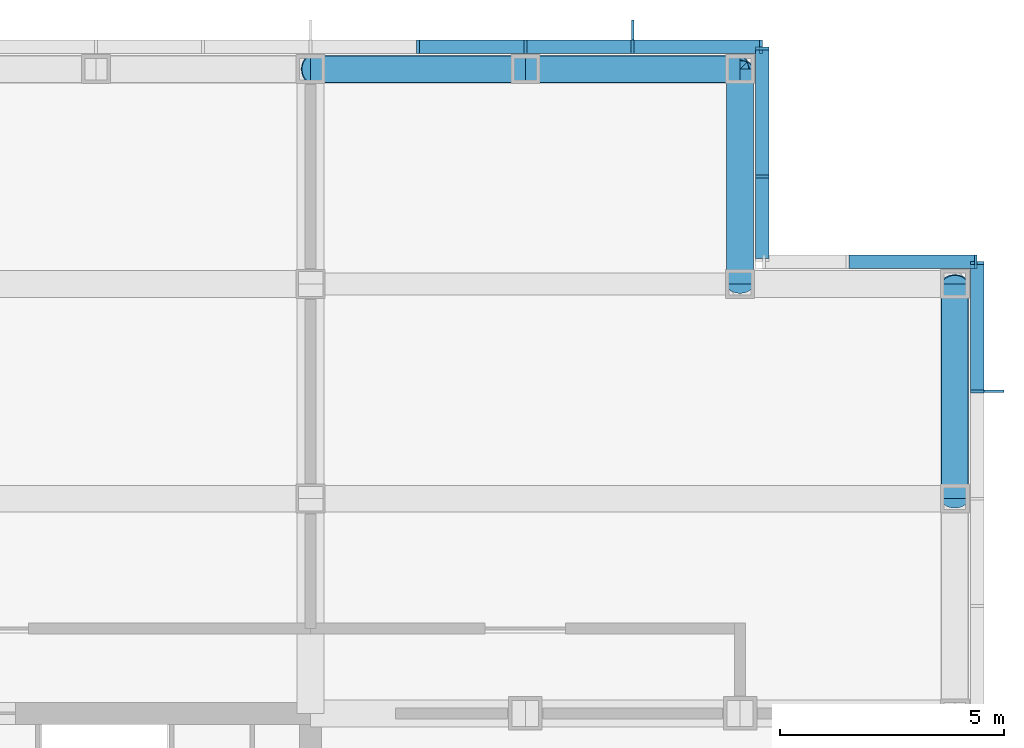
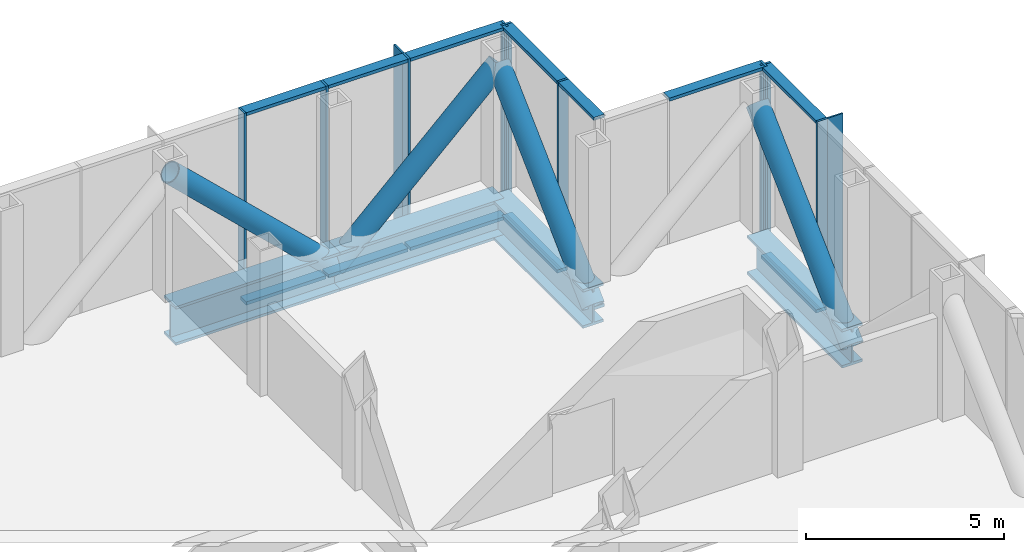
# One storey, part 11 of 18: 28 members, 4 beams, 4 elements without a shape of their own.
"""IFC4 building model written with IfcOpenShell, lengths in metres."""

from ifc_helpers import new_model, si_unit, direction, frame, origin, origin_2d, place, context, subcontext, project, spatial, rectangle, hollow_circle, i_section, extrude, material, material_profile, profile_set, type_object, element, aggregate, save


model = new_model("IFC4")

# Units and contexts
model_context = context("Model", 3, precision=1e-05, world=origin(), true_north=direction((0.0, 1.0)))
body_context = subcontext(model_context, "Body", "Model", "MODEL_VIEW")
ifc_project = project(units=[si_unit("LENGTHUNIT", "METRE"), si_unit("AREAUNIT", "SQUARE_METRE"), si_unit("VOLUMEUNIT", "CUBIC_METRE"), si_unit("PLANEANGLEUNIT", "RADIAN"), si_unit("MASSUNIT", "GRAM", prefix="KILO")], contexts=[model_context])

# Site, building, storey
site_placement = place(None, origin())
site = spatial("IfcSite", under=ifc_project, at=site_placement, CompositionType="ELEMENT")
building_placement = place(site_placement, origin())
building = spatial("IfcBuilding", under=site, at=building_placement, Name="Kvirike Care Tower", CompositionType="ELEMENT")
storey_placement = place(building_placement, frame((0.0, 0.0, 79.5)))
storey = spatial("IfcBuildingStorey", under=building, at=storey_placement, Name="L21", CompositionType="ELEMENT", Elevation=79.5)

# Members
ifc_material_1 = material(Name="Steel S355", Category="steel")
ifc_material_profile_1 = material_profile(ifc_material_1, hollow_circle(Radius=0.304931640625, WallThickness=0.030029296875, at=origin_2d()), Name="CHS 610x30")
ifc_profile_set_1 = profile_set([ifc_material_profile_1], Name="Steel S355")
member_type_1 = type_object("IfcMemberType", Name="BELT TRUSS DIAGONAL CHS 610x30", PredefinedType="BRACE", material=ifc_profile_set_1)
for number, where, z_axis, x_axis, name in (
    (1, (43.199951171875, 48.0, -0.85009765625), (0.0, 0.723490032929, 0.690334826191), (-1.0, 0.0, 0.0), "Belt truss diagonal L12-M12 L21"),
    (2, (38.39990234375, 52.800048828125, -0.85009765625), (0.0, 0.723490032929, 0.690334826191), (-1.0, 0.0, 0.0), "Belt truss diagonal M11-N11 L21"),
):
    element("IfcMember", number, at=place(storey_placement, frame(where, z_axis=z_axis, x_axis=x_axis)), inside=storey, type_object=member_type_1, Name=name, PredefinedType="BRACE", context=body_context, shape_type="SweptSolid", body=[
        extrude(hollow_circle(Radius=0.304931640625, WallThickness=0.030029296875, at=origin_2d()), origin(), (0.0, 0.0, 1.0), 6.634521484375),
    ])
member_1_placement = place(storey_placement, frame((33.60009765625, 57.60009765625, -0.85009765625), z_axis=(0.723472495583, 0.0, 0.690353205348), x_axis=(0.0, 1.0, 0.0)))
element("IfcMember", 3, at=member_1_placement, inside=storey, type_object=member_type_1, Name="Belt truss diagonal N11-N10 L21", PredefinedType="BRACE", context=body_context, shape_type="SweptSolid", body=[
    extrude(hollow_circle(Radius=0.304931640625, WallThickness=0.030029296875, at=origin_2d()), origin(), (0.0, 0.0, 1.0), 6.63427734375),
])
member_2_placement = place(storey_placement, frame((33.60009765625, 57.60009765625, -0.85009765625), z_axis=(-0.723490032929, 0.0, 0.690334826191), x_axis=(0.0, -1.0, 0.0)))
element("IfcMember", 4, at=member_2_placement, inside=storey, type_object=member_type_1, Name="Belt truss diagonal N10-N9 L21", PredefinedType="BRACE", context=body_context, shape_type="SweptSolid", body=[
    extrude(hollow_circle(Radius=0.304931640625, WallThickness=0.030029296875, at=origin_2d()), origin(), (0.0, 0.0, 1.0), 6.634521484375),
])

# Curtain wall, member
ifc_material_2 = material(Name="Anodised aluminium stick system", Category="aluminium")
curtain_wall_type = type_object("IfcCurtainWallType", Name="CW-L LOUVRED PLANT SCREEN", PredefinedType="NOTDEFINED", material=ifc_material_2)
curtain_wall_1_placement = place(storey_placement, origin())
curtain_wall_1 = element("IfcCurtainWall", 5, at=curtain_wall_1_placement, inside=storey, type_object=curtain_wall_type, Name="Curtain wall L21 face 7", PredefinedType="NOTDEFINED")
ifc_material_3 = material(Name="Bronze anodised aluminium fin", Category="aluminium")
ifc_material_profile_2 = material_profile(ifc_material_3, rectangle(XDim=0.050048828125, YDim=0.449951171875, at=origin_2d()), Name="BRONZE FIN 450")
ifc_profile_set_2 = profile_set([ifc_material_profile_2], Name="Bronze anodised aluminium fin")
member_type_2 = type_object("IfcMemberType", Name="BRONZE FIN 450", PredefinedType="USERDEFINED", material=ifc_profile_set_2)
member_3_placement = place(storey_placement, frame((44.074951171875, 50.39990234375, -1.449951171875), z_axis=(0.0, 0.0, 1.0), x_axis=(0.0, 1.0, 0.0)))
member_3 = element("IfcMember", 6, at=member_3_placement, type_object=member_type_2, Name="Bronze fin L21 face 7.14", ObjectType="FIN", PredefinedType="USERDEFINED", context=body_context, shape_type="SweptSolid", body=[
    extrude(rectangle(XDim=0.050048828125, YDim=0.449951171875, at=origin_2d()), origin(), (0.0, 0.0, 1.0), 5.949951171875),
])

curtain_wall_2_placement = place(storey_placement, origin())
curtain_wall_2 = element("IfcCurtainWall", 7, at=curtain_wall_2_placement, inside=storey, type_object=curtain_wall_type, Name="Curtain wall L21 face 10", PredefinedType="NOTDEFINED")
member_4_placement = place(storey_placement, frame((36.0, 58.47509765625, -1.449951171875), z_axis=(0.0, 0.0, 1.0), x_axis=(-1.0, 0.0, 0.0)))
member_4 = element("IfcMember", 8, at=member_4_placement, type_object=member_type_2, Name="Bronze fin L21 face 10.2", ObjectType="FIN", PredefinedType="USERDEFINED", context=body_context, shape_type="SweptSolid", body=[
    extrude(rectangle(XDim=0.050048828125, YDim=0.449951171875, at=origin_2d()), origin(), (0.0, 0.0, 1.0), 5.949951171875),
])

# Member
ifc_material_4 = material(Name="Bronze anodised aluminium mullion", Category="aluminium")
ifc_material_profile_3 = material_profile(ifc_material_4, rectangle(XDim=0.06494140625, YDim=0.300048828125, at=origin_2d()), Name="CW-L MULLION 65x300")
ifc_profile_set_3 = profile_set([ifc_material_profile_3], Name="Bronze anodised aluminium mullion")
member_type_3 = type_object("IfcMemberType", Name="CW-L MULLION 65x300", PredefinedType="MULLION", material=ifc_profile_set_3)
member_5_placement = place(storey_placement, frame((43.699951171875, 50.39990234375, -1.449951171875), z_axis=(0.0, 0.0, 1.0), x_axis=(0.0, 1.0, 0.0)))
member_5 = element("IfcMember", 9, at=member_5_placement, type_object=member_type_3, Name="CW-L mullion L21 face 7.14", PredefinedType="MULLION", context=body_context, shape_type="SweptSolid", body=[
    extrude(rectangle(XDim=0.06494140625, YDim=0.300048828125, at=origin_2d()), origin(), (0.0, 0.0, 1.0), 5.949951171875),
])

member_6_placement = place(storey_placement, frame((43.699951171875, 53.267578125, -1.449951171875), z_axis=(0.0, 0.0, 1.0), x_axis=(0.0, 1.0, 0.0)))
member_6 = element("IfcMember", 10, at=member_6_placement, type_object=member_type_3, Name="CW-L mullion L21 face 7.15", PredefinedType="MULLION", context=body_context, shape_type="SweptSolid", body=[
    extrude(rectangle(XDim=0.06494140625, YDim=0.300048828125, at=origin_2d()), origin(), (0.0, 0.0, 1.0), 5.949951171875),
])

# Curtain wall, member
curtain_wall_3_placement = place(storey_placement, origin())
curtain_wall_3 = element("IfcCurtainWall", 11, at=curtain_wall_3_placement, inside=storey, type_object=curtain_wall_type, Name="Curtain wall L21 face 8", PredefinedType="NOTDEFINED")
member_7_placement = place(storey_placement, frame((43.66748046875, 53.300048828125, -1.449951171875), z_axis=(0.0, 0.0, 1.0), x_axis=(-1.0, 0.0, 0.0)))
member_7 = element("IfcMember", 12, at=member_7_placement, type_object=member_type_3, Name="CW-L mullion L21 face 8.1", PredefinedType="MULLION", context=body_context, shape_type="SweptSolid", body=[
    extrude(rectangle(XDim=0.06494140625, YDim=0.300048828125, at=origin_2d()), origin(), (0.0, 0.0, 1.0), 5.949951171875),
])

# Curtain wall, members
curtain_wall_4_placement = place(storey_placement, origin())
curtain_wall_4 = element("IfcCurtainWall", 13, at=curtain_wall_4_placement, inside=storey, type_object=curtain_wall_type, Name="Curtain wall L21 face 9", PredefinedType="NOTDEFINED")
member_8_placement = place(storey_placement, frame((38.89990234375, 55.199951171875, -1.449951171875), z_axis=(0.0, 0.0, 1.0), x_axis=(0.0, 1.0, 0.0)))
member_8 = element("IfcMember", 14, at=member_8_placement, type_object=member_type_3, Name="CW-L mullion L21 face 9.2", PredefinedType="MULLION", context=body_context, shape_type="SweptSolid", body=[
    extrude(rectangle(XDim=0.06494140625, YDim=0.300048828125, at=origin_2d()), origin(), (0.0, 0.0, 1.0), 5.949951171875),
])
member_9_placement = place(storey_placement, frame((38.89990234375, 58.0673828125, -1.449951171875), z_axis=(0.0, 0.0, 1.0), x_axis=(0.0, 1.0, 0.0)))
member_9 = element("IfcMember", 15, at=member_9_placement, type_object=member_type_3, Name="CW-L mullion L21 face 9.3", PredefinedType="MULLION", context=body_context, shape_type="SweptSolid", body=[
    extrude(rectangle(XDim=0.06494140625, YDim=0.300048828125, at=origin_2d()), origin(), (0.0, 0.0, 1.0), 5.949951171875),
])

# Member
member_10_placement = place(storey_placement, frame((38.867431640625, 58.10009765625, -1.449951171875), z_axis=(0.0, 0.0, 1.0), x_axis=(-1.0, 0.0, 0.0)))
member_10 = element("IfcMember", 16, at=member_10_placement, type_object=member_type_3, Name="CW-L mullion L21 face 10.1", PredefinedType="MULLION", context=body_context, shape_type="SweptSolid", body=[
    extrude(rectangle(XDim=0.06494140625, YDim=0.300048828125, at=origin_2d()), origin(), (0.0, 0.0, 1.0), 5.949951171875),
])

member_11_placement = place(storey_placement, frame((36.0, 58.10009765625, -1.449951171875), z_axis=(0.0, 0.0, 1.0), x_axis=(-1.0, 0.0, 0.0)))
member_11 = element("IfcMember", 17, at=member_11_placement, type_object=member_type_3, Name="CW-L mullion L21 face 10.2", PredefinedType="MULLION", context=body_context, shape_type="SweptSolid", body=[
    extrude(rectangle(XDim=0.06494140625, YDim=0.300048828125, at=origin_2d()), origin(), (0.0, 0.0, 1.0), 5.949951171875),
])

member_12_placement = place(storey_placement, frame((33.60009765625, 58.10009765625, -1.449951171875), z_axis=(0.0, 0.0, 1.0), x_axis=(-1.0, 0.0, 0.0)))
member_12 = element("IfcMember", 18, at=member_12_placement, type_object=member_type_3, Name="CW-L mullion L21 face 10.3", PredefinedType="MULLION", context=body_context, shape_type="SweptSolid", body=[
    extrude(rectangle(XDim=0.06494140625, YDim=0.300048828125, at=origin_2d()), origin(), (0.0, 0.0, 1.0), 5.949951171875),
])

member_13_placement = place(storey_placement, frame((31.199951171875, 58.10009765625, -1.449951171875), z_axis=(0.0, 0.0, 1.0), x_axis=(-1.0, 0.0, 0.0)))
member_13 = element("IfcMember", 19, at=member_13_placement, type_object=member_type_3, Name="CW-L mullion L21 face 10.4", PredefinedType="MULLION", context=body_context, shape_type="SweptSolid", body=[
    extrude(rectangle(XDim=0.06494140625, YDim=0.300048828125, at=origin_2d()), origin(), (0.0, 0.0, 1.0), 5.949951171875),
])

ifc_material_5 = material(Name="Bronze anodised aluminium transom", Category="aluminium")
ifc_material_profile_4 = material_profile(ifc_material_5, rectangle(XDim=0.300048828125, YDim=0.10009765625, at=origin_2d()), Name="CW-L TRANSOM 300x100")
ifc_profile_set_4 = profile_set([ifc_material_profile_4], Name="Bronze anodised aluminium transom")
member_type_4 = type_object("IfcMemberType", Name="CW-L TRANSOM 300x100", PredefinedType="USERDEFINED", material=ifc_profile_set_4)
member_14_placement = place(storey_placement, frame((43.699951171875, 50.4326171875, -1.39990234375), z_axis=(0.0, 1.0, 0.0), x_axis=(-1.0, 0.0, 0.0)))
member_14 = element("IfcMember", 20, at=member_14_placement, type_object=member_type_4, Name="CW-L sill transom L21 face 7.14", ObjectType="TRANSOM", PredefinedType="USERDEFINED", context=body_context, shape_type="SweptSolid", body=[
    extrude(rectangle(XDim=0.300048828125, YDim=0.10009765625, at=origin_2d()), origin(), (0.0, 0.0, 1.0), 2.802490234375),
])

member_15_placement = place(storey_placement, frame((43.699951171875, 50.4326171875, 4.449951171875), z_axis=(0.0, 1.0, 0.0), x_axis=(-1.0, 0.0, 0.0)))
member_15 = element("IfcMember", 21, at=member_15_placement, type_object=member_type_4, Name="CW-L head transom L21 face 7.14", ObjectType="TRANSOM", PredefinedType="USERDEFINED", context=body_context, shape_type="SweptSolid", body=[
    extrude(rectangle(XDim=0.300048828125, YDim=0.10009765625, at=origin_2d()), origin(), (0.0, 0.0, 1.0), 2.802490234375),
])

aggregate(curtain_wall_1, [member_5, member_3, member_6, member_14, member_15])

member_16_placement = place(storey_placement, frame((43.635009765625, 53.300048828125, 4.449951171875), z_axis=(-1.0, 0.0, 0.0), x_axis=(0.0, -1.0, 0.0)))
member_16 = element("IfcMember", 22, at=member_16_placement, type_object=member_type_4, Name="CW-L head transom L21 face 8.1", ObjectType="TRANSOM", PredefinedType="USERDEFINED", context=body_context, shape_type="SweptSolid", body=[
    extrude(rectangle(XDim=0.300048828125, YDim=0.10009765625, at=origin_2d()), origin(), (0.0, 0.0, 1.0), 2.802490234375),
])

aggregate(curtain_wall_3, [member_7, member_16])

member_17_placement = place(storey_placement, frame((38.89990234375, 53.364990234375, -1.39990234375), z_axis=(0.0, 1.0, 0.0), x_axis=(-1.0, 0.0, 0.0)))
member_17 = element("IfcMember", 23, at=member_17_placement, type_object=member_type_4, Name="CW-L sill transom L21 face 9.1", ObjectType="TRANSOM", PredefinedType="USERDEFINED", context=body_context, shape_type="SweptSolid", body=[
    extrude(rectangle(XDim=0.300048828125, YDim=0.10009765625, at=origin_2d()), origin(), (0.0, 0.0, 1.0), 1.802490234375),
])

member_18_placement = place(storey_placement, frame((38.89990234375, 53.364990234375, 4.449951171875), z_axis=(0.0, 1.0, 0.0), x_axis=(-1.0, 0.0, 0.0)))
member_18 = element("IfcMember", 24, at=member_18_placement, type_object=member_type_4, Name="CW-L head transom L21 face 9.1", ObjectType="TRANSOM", PredefinedType="USERDEFINED", context=body_context, shape_type="SweptSolid", body=[
    extrude(rectangle(XDim=0.300048828125, YDim=0.10009765625, at=origin_2d()), origin(), (0.0, 0.0, 1.0), 1.802490234375),
])

member_19_placement = place(storey_placement, frame((38.89990234375, 55.232421875, -1.39990234375), z_axis=(0.0, 1.0, 0.0), x_axis=(-1.0, 0.0, 0.0)))
member_19 = element("IfcMember", 25, at=member_19_placement, type_object=member_type_4, Name="CW-L sill transom L21 face 9.2", ObjectType="TRANSOM", PredefinedType="USERDEFINED", context=body_context, shape_type="SweptSolid", body=[
    extrude(rectangle(XDim=0.300048828125, YDim=0.10009765625, at=origin_2d()), origin(), (0.0, 0.0, 1.0), 2.802490234375),
])

member_20_placement = place(storey_placement, frame((38.89990234375, 55.232421875, 4.449951171875), z_axis=(0.0, 1.0, 0.0), x_axis=(-1.0, 0.0, 0.0)))
member_20 = element("IfcMember", 26, at=member_20_placement, type_object=member_type_4, Name="CW-L head transom L21 face 9.2", ObjectType="TRANSOM", PredefinedType="USERDEFINED", context=body_context, shape_type="SweptSolid", body=[
    extrude(rectangle(XDim=0.300048828125, YDim=0.10009765625, at=origin_2d()), origin(), (0.0, 0.0, 1.0), 2.802490234375),
])

aggregate(curtain_wall_4, [member_8, member_9, member_17, member_18, member_19, member_20])

member_21_placement = place(storey_placement, frame((38.8349609375, 58.10009765625, -1.39990234375), z_axis=(-1.0, 0.0, 0.0), x_axis=(0.0, -1.0, 0.0)))
member_21 = element("IfcMember", 27, at=member_21_placement, type_object=member_type_4, Name="CW-L sill transom L21 face 10.1", ObjectType="TRANSOM", PredefinedType="USERDEFINED", context=body_context, shape_type="SweptSolid", body=[
    extrude(rectangle(XDim=0.300048828125, YDim=0.10009765625, at=origin_2d()), origin(), (0.0, 0.0, 1.0), 2.802490234375),
])

member_22_placement = place(storey_placement, frame((38.8349609375, 58.10009765625, 4.449951171875), z_axis=(-1.0, 0.0, 0.0), x_axis=(0.0, -1.0, 0.0)))
member_22 = element("IfcMember", 28, at=member_22_placement, type_object=member_type_4, Name="CW-L head transom L21 face 10.1", ObjectType="TRANSOM", PredefinedType="USERDEFINED", context=body_context, shape_type="SweptSolid", body=[
    extrude(rectangle(XDim=0.300048828125, YDim=0.10009765625, at=origin_2d()), origin(), (0.0, 0.0, 1.0), 2.802490234375),
])

member_23_placement = place(storey_placement, frame((35.967529296875, 58.10009765625, -1.39990234375), z_axis=(-1.0, 0.0, 0.0), x_axis=(0.0, -1.0, 0.0)))
member_23 = element("IfcMember", 29, at=member_23_placement, type_object=member_type_4, Name="CW-L sill transom L21 face 10.2", ObjectType="TRANSOM", PredefinedType="USERDEFINED", context=body_context, shape_type="SweptSolid", body=[
    extrude(rectangle(XDim=0.300048828125, YDim=0.10009765625, at=origin_2d()), origin(), (0.0, 0.0, 1.0), 2.3349609375),
])

member_24_placement = place(storey_placement, frame((35.967529296875, 58.10009765625, 4.449951171875), z_axis=(-1.0, 0.0, 0.0), x_axis=(0.0, -1.0, 0.0)))
member_24 = element("IfcMember", 30, at=member_24_placement, type_object=member_type_4, Name="CW-L head transom L21 face 10.2", ObjectType="TRANSOM", PredefinedType="USERDEFINED", context=body_context, shape_type="SweptSolid", body=[
    extrude(rectangle(XDim=0.300048828125, YDim=0.10009765625, at=origin_2d()), origin(), (0.0, 0.0, 1.0), 2.3349609375),
])

member_25_placement = place(storey_placement, frame((33.5673828125, 58.10009765625, -1.39990234375), z_axis=(-1.0, 0.0, 0.0), x_axis=(0.0, -1.0, 0.0)))
member_25 = element("IfcMember", 31, at=member_25_placement, type_object=member_type_4, Name="CW-L sill transom L21 face 10.3", ObjectType="TRANSOM", PredefinedType="USERDEFINED", context=body_context, shape_type="SweptSolid", body=[
    extrude(rectangle(XDim=0.300048828125, YDim=0.10009765625, at=origin_2d()), origin(), (0.0, 0.0, 1.0), 2.3349609375),
])

member_26_placement = place(storey_placement, frame((33.5673828125, 58.10009765625, 4.449951171875), z_axis=(-1.0, 0.0, 0.0), x_axis=(0.0, -1.0, 0.0)))
member_26 = element("IfcMember", 32, at=member_26_placement, type_object=member_type_4, Name="CW-L head transom L21 face 10.3", ObjectType="TRANSOM", PredefinedType="USERDEFINED", context=body_context, shape_type="SweptSolid", body=[
    extrude(rectangle(XDim=0.300048828125, YDim=0.10009765625, at=origin_2d()), origin(), (0.0, 0.0, 1.0), 2.3349609375),
])

aggregate(curtain_wall_2, [member_10, member_11, member_4, member_12, member_13, member_21, member_22, member_23, member_24, member_25, member_26])

# Beams
ifc_material_6 = material(Name="Steel S355", Category="steel")
ifc_material_profile_5 = material_profile(ifc_material_6, i_section(OverallWidth=0.60009765625, OverallDepth=1.199951171875, WebThickness=0.0400390625, FlangeThickness=0.080078125, at=origin_2d()), Name="PG 1200x600x40x80")
ifc_profile_set_5 = profile_set([ifc_material_profile_5], Name="Steel S355")
beam_type = type_object("IfcBeamType", Name="SPANDREL PG 1200x600x40x80", PredefinedType="SPANDREL", material=ifc_profile_set_5)
beam_1_placement = place(storey_placement, frame((28.800048828125, 57.60009765625, -0.85009765625), z_axis=(1.0, 0.0, 0.0), x_axis=(0.0, 1.0, 0.0)))
element("IfcBeam", 33, at=beam_1_placement, inside=storey, type_object=beam_type, Name="Spandrel N9-N10 L21", PredefinedType="SPANDREL", context=body_context, shape_type="SweptSolid", body=[
    extrude(i_section(OverallWidth=0.60009765625, OverallDepth=1.199951171875, WebThickness=0.0400390625, FlangeThickness=0.080078125, at=origin_2d()), origin(), (0.0, 0.0, 1.0), 4.800048828125),
])
beam_2_placement = place(storey_placement, frame((33.60009765625, 57.60009765625, -0.85009765625), z_axis=(1.0, 0.0, 0.0), x_axis=(0.0, 1.0, 0.0)))
element("IfcBeam", 34, at=beam_2_placement, inside=storey, type_object=beam_type, Name="Spandrel N10-N11 L21", PredefinedType="SPANDREL", context=body_context, shape_type="SweptSolid", body=[
    extrude(i_section(OverallWidth=0.60009765625, OverallDepth=1.199951171875, WebThickness=0.0400390625, FlangeThickness=0.080078125, at=origin_2d()), origin(), (0.0, 0.0, 1.0), 4.7998046875),
])
for number, where, z_axis, x_axis, name in (
    (35, (38.39990234375, 52.800048828125, -0.85009765625), (0.0, 1.0, 0.0), (-1.0, 0.0, 0.0), "Spandrel M11-N11 L21"),
    (36, (43.199951171875, 48.0, -0.85009765625), (0.0, 1.0, 0.0), (-1.0, 0.0, 0.0), "Spandrel L12-M12 L21"),
):
    element("IfcBeam", number, at=place(storey_placement, frame(where, z_axis=z_axis, x_axis=x_axis)), inside=storey, type_object=beam_type, Name=name, PredefinedType="SPANDREL", context=body_context, shape_type="SweptSolid", body=[
        extrude(i_section(OverallWidth=0.60009765625, OverallDepth=1.199951171875, WebThickness=0.0400390625, FlangeThickness=0.080078125, at=origin_2d()), origin(), (0.0, 0.0, 1.0), 4.800048828125),
    ])

save(model, "model.ifc")
